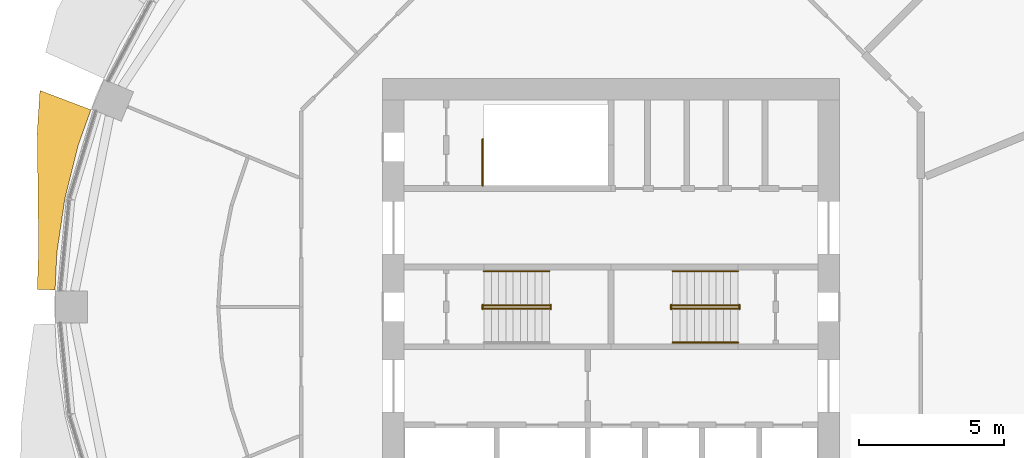
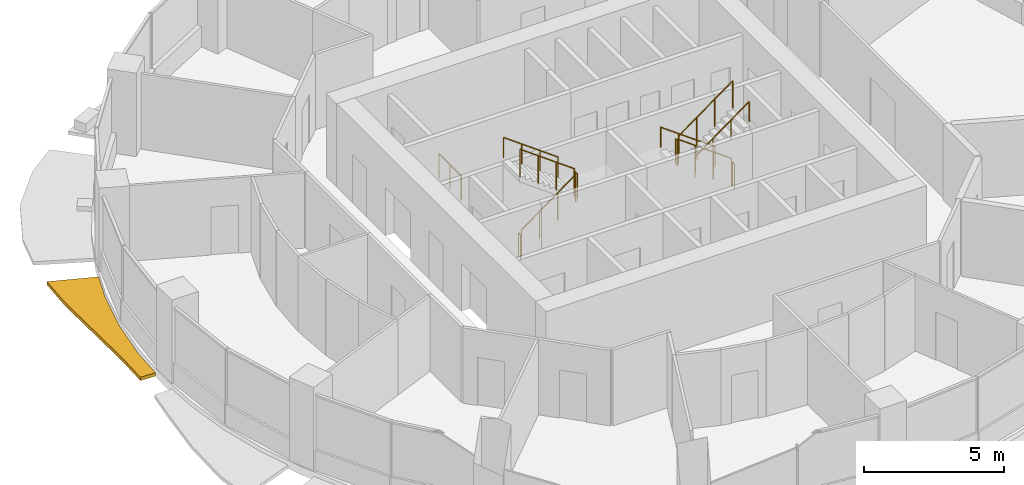
# One storey, part 12 of 14: 12 railings, 1 shading device.
"""IFC4 building model written with IfcOpenShell, lengths in metres."""

from ifc_helpers import new_model, si_unit, direction, frame, origin, origin_2d, place, context, subcontext, project, spatial, polyline, circle, outline, extrude, material, type_object, element, save


model = new_model("IFC4")

# Units and contexts
model_context = context("Model", 3, precision=1e-05, world=origin(), true_north=direction((0.0, 1.0)))
body_context = subcontext(model_context, "Body", "Model", "MODEL_VIEW")
ifc_project = project(units=[si_unit("LENGTHUNIT", "METRE"), si_unit("AREAUNIT", "SQUARE_METRE"), si_unit("VOLUMEUNIT", "CUBIC_METRE"), si_unit("PLANEANGLEUNIT", "RADIAN"), si_unit("MASSUNIT", "GRAM", prefix="KILO")], contexts=[model_context])

# Site, building, storey
site_placement = place(None, origin())
site = spatial("IfcSite", under=ifc_project, at=site_placement, CompositionType="ELEMENT")
building_placement = place(site_placement, origin())
building = spatial("IfcBuilding", under=site, at=building_placement, Name="Polderwave Tower", CompositionType="ELEMENT")
storey_placement = place(building_placement, frame((0.0, 0.0, 112.89990234375)))
storey = spatial("IfcBuildingStorey", under=building, at=storey_placement, Name="L29", CompositionType="ELEMENT", Elevation=112.89990234375)

# Railings
ifc_material_1 = material(Name="Stainless steel", Category="steel")
railing_type_1 = type_object("IfcRailingType", Name="Stair guard 1100", PredefinedType="GUARDRAIL", material=ifc_material_1)
railing_1_placement = place(storey_placement, frame((-4.3740234375, -0.051025390625, 0.0625)))
element("IfcRailing", 1, at=railing_1_placement, inside=storey, type_object=railing_type_1, Name="L29 ST-A stair guard 1", PredefinedType="GUARDRAIL", context=body_context, shape_type="SweptSolid", body=[
    extrude(circle(Radius=0.02392578125, at=origin_2d()), frame((0.0, 0.0, 1.1962890625), z_axis=(0.807673635365, 0.0, 0.58962979804), x_axis=(0.0, 1.0, 0.0)), (0.0, 0.0, 1.0), 2.785888671875),
    extrude(circle(Radius=0.02392578125, at=origin_2d()), origin(), (0.0, 0.0, 1.0), 1.172119140625),
    extrude(circle(Radius=0.02392578125, at=origin_2d()), frame((0.75, 0.0, 0.547607421875)), (0.0, 0.0, 1.0), 1.172119140625),
    extrude(circle(Radius=0.02392578125, at=origin_2d()), frame((1.5, 0.0, 1.094970703125)), (0.0, 0.0, 1.0), 1.172119140625),
    extrude(circle(Radius=0.02392578125, at=origin_2d()), frame((2.25, 0.0, 1.642578125)), (0.0, 0.0, 1.0), 1.172119140625),
])
railing_2_placement = place(storey_placement, frame((-2.073974609375, -0.074951171875, 1.8251953125)))
element("IfcRailing", 2, at=railing_2_placement, inside=storey, type_object=railing_type_1, Name="L29 ST-A stair guard 2", PredefinedType="GUARDRAIL", context=body_context, shape_type="SweptSolid", body=[
    extrude(circle(Radius=0.02392578125, at=origin_2d()), frame((0.0, 0.0, 1.076171875), z_axis=(0.0, 1.0, 0.0), x_axis=(-1.0, 0.0, 0.0)), (0.0, 0.0, 1.0), 0.14990234375),
    extrude(circle(Radius=0.02099609375, at=origin_2d()), origin(), (0.0, 0.0, 1.0), 1.052001953125),
    extrude(circle(Radius=0.02099609375, at=origin_2d()), frame((0.0, 0.14990234375, 0.0)), (0.0, 0.0, 1.0), 1.052001953125),
])
railing_3_placement = place(storey_placement, frame((-2.1240234375, 0.051025390625, 1.887451171875)))
element("IfcRailing", 3, at=railing_3_placement, inside=storey, type_object=railing_type_1, Name="L29 ST-A stair guard 3", PredefinedType="GUARDRAIL", context=body_context, shape_type="SweptSolid", body=[
    extrude(circle(Radius=0.02392578125, at=origin_2d()), frame((0.0, 0.0, 1.1962890625), z_axis=(-0.807673635365, 0.0, 0.58962979804), x_axis=(0.0, -1.0, 0.0)), (0.0, 0.0, 1.0), 2.785888671875),
    extrude(circle(Radius=0.02392578125, at=origin_2d()), origin(), (0.0, 0.0, 1.0), 1.172119140625),
    extrude(circle(Radius=0.02392578125, at=origin_2d()), frame((-0.75, 0.0, 0.547607421875)), (0.0, 0.0, 1.0), 1.172119140625),
    extrude(circle(Radius=0.02392578125, at=origin_2d()), frame((-1.5, 0.0, 1.094970703125)), (0.0, 0.0, 1.0), 1.172119140625),
    extrude(circle(Radius=0.02392578125, at=origin_2d()), frame((-2.25, 0.0, 1.642578125)), (0.0, 0.0, 1.0), 1.172119140625),
])
railing_4_placement = place(storey_placement, frame((-4.424072265625, -0.074951171875, 0.0)))
element("IfcRailing", 4, at=railing_4_placement, inside=storey, type_object=railing_type_1, Name="L29 ST-A stair guard 4", PredefinedType="GUARDRAIL", context=body_context, shape_type="SweptSolid", body=[
    extrude(circle(Radius=0.02392578125, at=origin_2d()), frame((0.0, 0.0, 1.076171875), z_axis=(0.0, 1.0, 0.0), x_axis=(-1.0, 0.0, 0.0)), (0.0, 0.0, 1.0), 0.14990234375),
    extrude(circle(Radius=0.02099609375, at=origin_2d()), origin(), (0.0, 0.0, 1.0), 1.052001953125),
    extrude(circle(Radius=0.02099609375, at=origin_2d()), frame((0.0, 0.14990234375, 0.0)), (0.0, 0.0, 1.0), 1.052001953125),
])
railing_5_placement = place(storey_placement, frame((4.3740234375, 0.051025390625, 0.0625)))
element("IfcRailing", 5, at=railing_5_placement, inside=storey, type_object=railing_type_1, Name="L29 ST-B stair guard 1", PredefinedType="GUARDRAIL", context=body_context, shape_type="SweptSolid", body=[
    extrude(circle(Radius=0.02392578125, at=origin_2d()), frame((0.0, 0.0, 1.1962890625), z_axis=(-0.807673635365, 0.0, 0.58962979804), x_axis=(0.0, -1.0, 0.0)), (0.0, 0.0, 1.0), 2.785888671875),
    extrude(circle(Radius=0.02392578125, at=origin_2d()), origin(), (0.0, 0.0, 1.0), 1.172119140625),
    extrude(circle(Radius=0.02392578125, at=origin_2d()), frame((-0.75, 0.0, 0.547607421875)), (0.0, 0.0, 1.0), 1.172119140625),
    extrude(circle(Radius=0.02392578125, at=origin_2d()), frame((-1.5, 0.0, 1.094970703125)), (0.0, 0.0, 1.0), 1.172119140625),
    extrude(circle(Radius=0.02392578125, at=origin_2d()), frame((-2.25, 0.0, 1.642578125)), (0.0, 0.0, 1.0), 1.172119140625),
])
railing_6_placement = place(storey_placement, frame((2.073974609375, 0.074951171875, 1.8251953125)))
element("IfcRailing", 6, at=railing_6_placement, inside=storey, type_object=railing_type_1, Name="L29 ST-B stair guard 2", PredefinedType="GUARDRAIL", context=body_context, shape_type="SweptSolid", body=[
    extrude(circle(Radius=0.02392578125, at=origin_2d()), frame((0.0, 0.0, 1.076171875), z_axis=(0.0, -1.0, 0.0), x_axis=(1.0, 0.0, 0.0)), (0.0, 0.0, 1.0), 0.14990234375),
    extrude(circle(Radius=0.02099609375, at=origin_2d()), origin(), (0.0, 0.0, 1.0), 1.052001953125),
    extrude(circle(Radius=0.02099609375, at=origin_2d()), frame((0.0, -0.14990234375, 0.0)), (0.0, 0.0, 1.0), 1.052001953125),
])
railing_7_placement = place(storey_placement, frame((2.1240234375, -0.051025390625, 1.887451171875)))
element("IfcRailing", 7, at=railing_7_placement, inside=storey, type_object=railing_type_1, Name="L29 ST-B stair guard 3", PredefinedType="GUARDRAIL", context=body_context, shape_type="SweptSolid", body=[
    extrude(circle(Radius=0.02392578125, at=origin_2d()), frame((0.0, 0.0, 1.1962890625), z_axis=(0.807673635365, 0.0, 0.58962979804), x_axis=(0.0, 1.0, 0.0)), (0.0, 0.0, 1.0), 2.785888671875),
    extrude(circle(Radius=0.02392578125, at=origin_2d()), origin(), (0.0, 0.0, 1.0), 1.172119140625),
    extrude(circle(Radius=0.02392578125, at=origin_2d()), frame((0.75, 0.0, 0.547607421875)), (0.0, 0.0, 1.0), 1.172119140625),
    extrude(circle(Radius=0.02392578125, at=origin_2d()), frame((1.5, 0.0, 1.094970703125)), (0.0, 0.0, 1.0), 1.172119140625),
    extrude(circle(Radius=0.02392578125, at=origin_2d()), frame((2.25, 0.0, 1.642578125)), (0.0, 0.0, 1.0), 1.172119140625),
])
railing_8_placement = place(storey_placement, frame((4.424072265625, 0.074951171875, 0.0)))
element("IfcRailing", 8, at=railing_8_placement, inside=storey, type_object=railing_type_1, Name="L29 ST-B stair guard 4", PredefinedType="GUARDRAIL", context=body_context, shape_type="SweptSolid", body=[
    extrude(circle(Radius=0.02392578125, at=origin_2d()), frame((0.0, 0.0, 1.076171875), z_axis=(0.0, -1.0, 0.0), x_axis=(1.0, 0.0, 0.0)), (0.0, 0.0, 1.0), 0.14990234375),
    extrude(circle(Radius=0.02099609375, at=origin_2d()), origin(), (0.0, 0.0, 1.0), 1.052001953125),
    extrude(circle(Radius=0.02099609375, at=origin_2d()), frame((0.0, -0.14990234375, 0.0)), (0.0, 0.0, 1.0), 1.052001953125),
])
railing_9_placement = place(storey_placement, frame((-4.424072265625, 4.174072265625, 0.0)))
element("IfcRailing", 9, at=railing_9_placement, inside=storey, type_object=railing_type_1, Name="L29 ST-C top well guard 1", PredefinedType="GUARDRAIL", context=body_context, shape_type="SweptSolid", body=[
    extrude(circle(Radius=0.02392578125, at=origin_2d()), frame((0.0, 0.0, 1.076171875), z_axis=(0.0, 1.0, 0.0), x_axis=(-1.0, 0.0, 0.0)), (0.0, 0.0, 1.0), 1.599853515625),
    extrude(circle(Radius=0.02099609375, at=origin_2d()), origin(), (0.0, 0.0, 1.0), 1.052001953125),
    extrude(circle(Radius=0.02099609375, at=origin_2d()), frame((0.0, 0.7998046875, 0.0)), (0.0, 0.0, 1.0), 1.052001953125),
    extrude(circle(Radius=0.02099609375, at=origin_2d()), frame((0.0, 1.599853515625, 0.0)), (0.0, 0.0, 1.0), 1.052001953125),
])
railing_type_2 = type_object("IfcRailingType", Name="Stair handrail 900", PredefinedType="HANDRAIL", material=ifc_material_1)
for number, where, name in (
    (10, (-2.1240234375, 1.22509765625, 2.007568359375), "L29 ST-A stair handrail 2"),
    (11, (4.3740234375, 1.22509765625, 0.1826171875), "L29 ST-B stair handrail 1"),
):
    element("IfcRailing", number, at=place(storey_placement, frame(where)), inside=storey, type_object=railing_type_2, Name=name, PredefinedType="HANDRAIL", context=body_context, shape_type="SweptSolid", body=[
        extrude(circle(Radius=0.02392578125, at=origin_2d()), frame((0.0, 0.0, 0.8759765625), z_axis=(-0.807673635365, 0.0, 0.58962979804), x_axis=(0.0, -1.0, 0.0)), (0.0, 0.0, 1.0), 2.785888671875),
        extrude(circle(Radius=0.02099609375, at=origin_2d()), origin(), (0.0, 0.0, 1.0), 0.851806640625),
        extrude(circle(Radius=0.02099609375, at=origin_2d()), frame((-0.75, 0.0, 0.547607421875)), (0.0, 0.0, 1.0), 0.851806640625),
        extrude(circle(Radius=0.02099609375, at=origin_2d()), frame((-1.5, 0.0, 1.094970703125)), (0.0, 0.0, 1.0), 0.851806640625),
        extrude(circle(Radius=0.02099609375, at=origin_2d()), frame((-2.25, 0.0, 1.642578125)), (0.0, 0.0, 1.0), 0.851806640625),
    ])
railing_10_placement = place(storey_placement, frame((2.1240234375, -1.22509765625, 2.007568359375)))
element("IfcRailing", 12, at=railing_10_placement, inside=storey, type_object=railing_type_2, Name="L29 ST-B stair handrail 2", PredefinedType="HANDRAIL", context=body_context, shape_type="SweptSolid", body=[
    extrude(circle(Radius=0.02392578125, at=origin_2d()), frame((0.0, 0.0, 0.8759765625), z_axis=(0.807673635365, 0.0, 0.58962979804), x_axis=(0.0, 1.0, 0.0)), (0.0, 0.0, 1.0), 2.785888671875),
    extrude(circle(Radius=0.02099609375, at=origin_2d()), origin(), (0.0, 0.0, 1.0), 0.851806640625),
    extrude(circle(Radius=0.02099609375, at=origin_2d()), frame((0.75, 0.0, 0.547607421875)), (0.0, 0.0, 1.0), 0.851806640625),
    extrude(circle(Radius=0.02099609375, at=origin_2d()), frame((1.5, 0.0, 1.094970703125)), (0.0, 0.0, 1.0), 0.851806640625),
    extrude(circle(Radius=0.02099609375, at=origin_2d()), frame((2.25, 0.0, 1.642578125)), (0.0, 0.0, 1.0), 0.851806640625),
])

# Shading device
ifc_material_2 = material(Name="Terracotta", Category="masonry")
shading_device_type = type_object("IfcShadingDeviceType", Name="Terracotta sunshade band", PredefinedType="USERDEFINED", material=ifc_material_2)
shading_device_placement = place(storey_placement, frame((0.0, 0.0, -0.349853515625)))
element("IfcShadingDevice", 13, at=shading_device_placement, inside=storey, type_object=shading_device_type, Name="Sunshade band L29 8", ObjectType="SUNSHADE", PredefinedType="USERDEFINED", context=body_context, shape_type="SweptSolid", body=[
    extrude(outline(polyline([(-17.9169921875, 6.789306640625), (-18.35400390625, 5.567626953125), (-18.8115234375, 3.74169921875), (-19.087646484375, 1.8798828125), (-19.1513671875, 0.584228515625), (-19.760498046875, 0.602783203125), (-19.72021484375, 1.9423828125), (-19.73828125, 3.92626953125), (-19.765625, 5.995849609375), (-19.67236328125, 7.454345703125), (-17.9169921875, 6.789306640625)])), origin(), (0.0, 0.0, 1.0), 0.14990234375),
])

save(model, "model.ifc")
